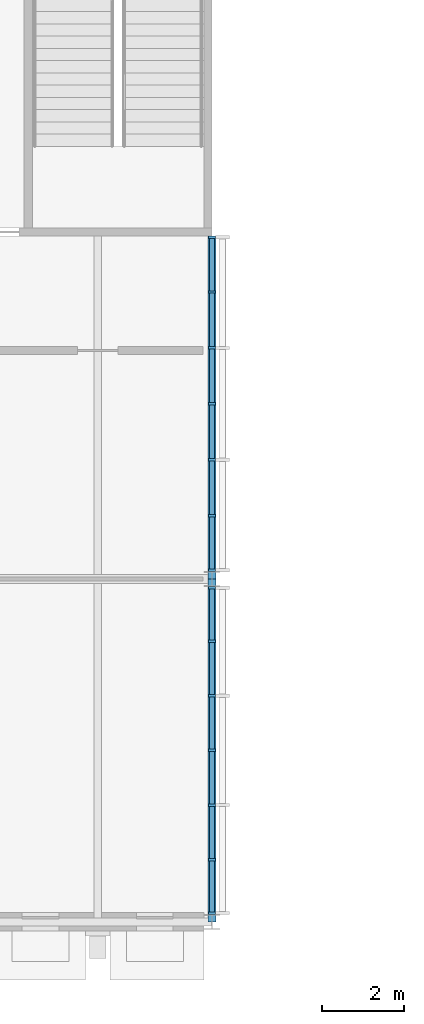
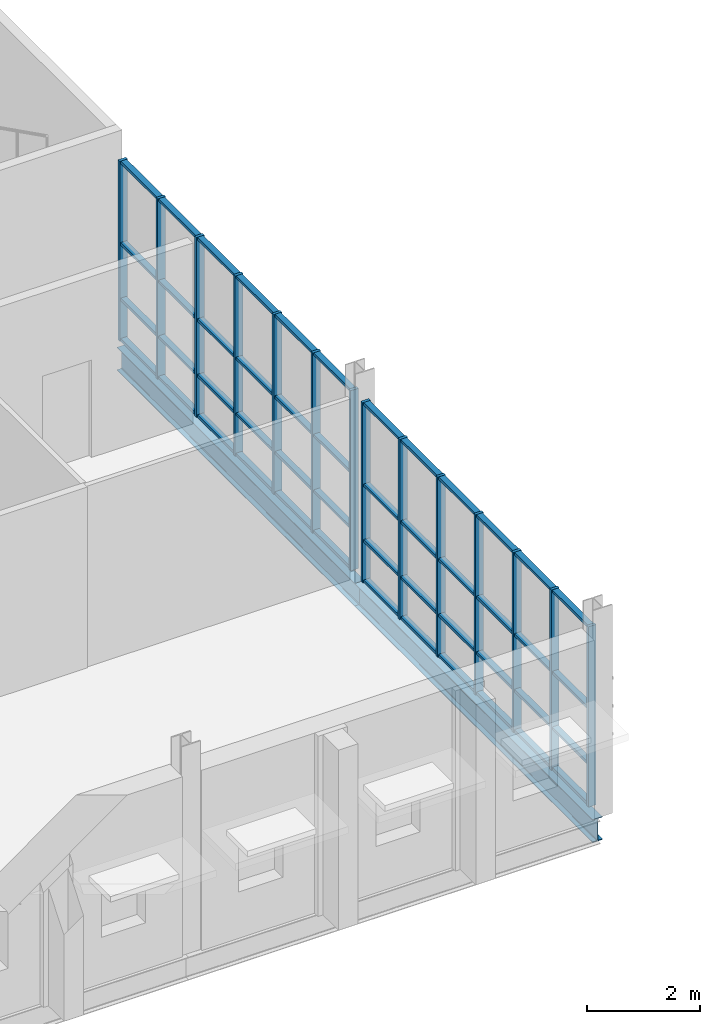
# One storey, part 6 of 22: 62 members, 2 beams, 2 elements without a shape of their own.
"""IFC4 building model written with IfcOpenShell, lengths in metres."""

from ifc_helpers import new_model, si_unit, direction, frame, origin, origin_2d, place, context, subcontext, project, spatial, rectangle, i_section, extrude, material, layer, layer_set, material_profile, profile_set, type_object, element, aggregate, save


model = new_model("IFC4")

# Units and contexts
model_context = context("Model", 3, precision=1e-05, world=origin(), true_north=direction((0.0, 1.0)))
body_context = subcontext(model_context, "Body", "Model", "MODEL_VIEW")
ifc_project = project(units=[si_unit("LENGTHUNIT", "METRE"), si_unit("AREAUNIT", "SQUARE_METRE"), si_unit("VOLUMEUNIT", "CUBIC_METRE"), si_unit("PLANEANGLEUNIT", "RADIAN"), si_unit("MASSUNIT", "GRAM", prefix="KILO")], contexts=[model_context])

# Site, building, storey
site_placement = place(None, origin())
site = spatial("IfcSite", under=ifc_project, at=site_placement, CompositionType="ELEMENT")
building_placement = place(site_placement, origin())
building = spatial("IfcBuilding", under=site, at=building_placement, Name="Ardhachandra Cancer Care Centre", CompositionType="ELEMENT")
storey_placement = place(building_placement, frame((0.0, 0.0, 18.0)))
storey = spatial("IfcBuildingStorey", under=building, at=storey_placement, Name="L04", CompositionType="ELEMENT", Elevation=18.0)

# Beams
ifc_material_1 = material(Name="Steel E350 (IS 2062)", Category="steel")
ifc_material_profile_1 = material_profile(ifc_material_1, i_section(OverallWidth=0.199951171875, OverallDepth=0.5, WebThickness=0.01025390625, FlangeThickness=0.01611328125, FilletRadius=0.02099609375, at=origin_2d()), Name="NPB 500x200x90.68")
ifc_profile_set_1 = profile_set([ifc_material_profile_1], Name="Steel E350 (IS 2062)")
beam_type = type_object("IfcBeamType", Name="Beam NPB 500x200x90.68", PredefinedType="BEAM", material=ifc_profile_set_1)
beam_1_placement = place(storey_placement, frame((44.39990234375, 71.39990234375, -0.39990234375), z_axis=(0.0, 1.0, 0.0), x_axis=(-1.0, 0.0, 0.0)))
element("IfcBeam", 1, at=beam_1_placement, inside=storey, type_object=beam_type, Name="Edge girder H5-J5", PredefinedType="BEAM", context=body_context, shape_type="SweptSolid", body=[
    extrude(i_section(OverallWidth=0.199951171875, OverallDepth=0.5, WebThickness=0.01025390625, FlangeThickness=0.01611328125, FilletRadius=0.02099609375, at=origin_2d()), origin(), (0.0, 0.0, 1.0), 8.400146484375),
])
beam_2_placement = place(storey_placement, frame((44.39990234375, 79.800048828125, -0.39990234375), z_axis=(0.0, 1.0, 0.0), x_axis=(-1.0, 0.0, 0.0)))
element("IfcBeam", 2, at=beam_2_placement, inside=storey, type_object=beam_type, Name="Edge girder J5-K5", PredefinedType="BEAM", context=body_context, shape_type="SweptSolid", body=[
    extrude(i_section(OverallWidth=0.199951171875, OverallDepth=0.5, WebThickness=0.01025390625, FlangeThickness=0.01611328125, FilletRadius=0.02099609375, at=origin_2d()), origin(), (0.0, 0.0, 1.0), 8.39990234375),
])

# Curtain wall, members
ifc_material_2 = material(Name="Aluminium extrusion", Category="aluminium")
ifc_layer = layer(ifc_material_2, 0.14990234375)
ifc_layer_set = layer_set([ifc_layer], Name="Aluminium extrusion")
curtain_wall_type = type_object("IfcCurtainWallType", Name="Curtain wall run", PredefinedType="NOTDEFINED", material=ifc_layer_set)
curtain_wall_1_placement = place(storey_placement, origin())
curtain_wall_1 = element("IfcCurtainWall", 3, at=curtain_wall_1_placement, inside=storey, type_object=curtain_wall_type, Name="Curtain wall L04 e/0044400_0071400", PredefinedType="NOTDEFINED")
ifc_material_3 = material(Name="Aluminium extrusion", Category="aluminium")
ifc_material_profile_2 = material_profile(ifc_material_3, rectangle(XDim=0.159912109375, YDim=0.06005859375, at=origin_2d()), Name="Curtain wall mullion 60 x 160")
ifc_profile_set_2 = profile_set([ifc_material_profile_2], Name="Aluminium extrusion")
member_type_1 = type_object("IfcMemberType", Name="Curtain wall mullion 60 x 160", PredefinedType="MULLION", material=ifc_profile_set_2)
member_1_placement = place(storey_placement, frame((44.39990234375, 71.614013671875, 0.0), z_axis=(0.0, 0.0, 1.0), x_axis=(-1.0, 0.0, 0.0)))
member_1 = element("IfcMember", 4, at=member_1_placement, type_object=member_type_1, Name="CW mullion 1", PredefinedType="MULLION", context=body_context, shape_type="SweptSolid", body=[
    extrude(rectangle(XDim=0.159912109375, YDim=0.06005859375, at=origin_2d()), origin(), (0.0, 0.0, 1.0), 3.885986328125),
])
member_2_placement = place(storey_placement, frame((44.39990234375, 72.922607421875, 0.0), z_axis=(0.0, 0.0, 1.0), x_axis=(-1.0, 0.0, 0.0)))
member_2 = element("IfcMember", 5, at=member_2_placement, type_object=member_type_1, Name="CW mullion 2", PredefinedType="MULLION", context=body_context, shape_type="SweptSolid", body=[
    extrude(rectangle(XDim=0.159912109375, YDim=0.06005859375, at=origin_2d()), origin(), (0.0, 0.0, 1.0), 3.885986328125),
])
member_3_placement = place(storey_placement, frame((44.39990234375, 74.26123046875, 0.0), z_axis=(0.0, 0.0, 1.0), x_axis=(-1.0, 0.0, 0.0)))
member_3 = element("IfcMember", 6, at=member_3_placement, type_object=member_type_1, Name="CW mullion 3", PredefinedType="MULLION", context=body_context, shape_type="SweptSolid", body=[
    extrude(rectangle(XDim=0.159912109375, YDim=0.06005859375, at=origin_2d()), origin(), (0.0, 0.0, 1.0), 3.885986328125),
])
member_4_placement = place(storey_placement, frame((44.39990234375, 75.60009765625, 0.0), z_axis=(0.0, 0.0, 1.0), x_axis=(-1.0, 0.0, 0.0)))
member_4 = element("IfcMember", 7, at=member_4_placement, type_object=member_type_1, Name="CW mullion 4", PredefinedType="MULLION", context=body_context, shape_type="SweptSolid", body=[
    extrude(rectangle(XDim=0.159912109375, YDim=0.06005859375, at=origin_2d()), origin(), (0.0, 0.0, 1.0), 3.885986328125),
])
member_5_placement = place(storey_placement, frame((44.39990234375, 76.938720703125, 0.0), z_axis=(0.0, 0.0, 1.0), x_axis=(-1.0, 0.0, 0.0)))
member_5 = element("IfcMember", 8, at=member_5_placement, type_object=member_type_1, Name="CW mullion 5", PredefinedType="MULLION", context=body_context, shape_type="SweptSolid", body=[
    extrude(rectangle(XDim=0.159912109375, YDim=0.06005859375, at=origin_2d()), origin(), (0.0, 0.0, 1.0), 3.885986328125),
])
member_6_placement = place(storey_placement, frame((44.39990234375, 78.27734375, 0.0), z_axis=(0.0, 0.0, 1.0), x_axis=(-1.0, 0.0, 0.0)))
member_6 = element("IfcMember", 9, at=member_6_placement, type_object=member_type_1, Name="CW mullion 6", PredefinedType="MULLION", context=body_context, shape_type="SweptSolid", body=[
    extrude(rectangle(XDim=0.159912109375, YDim=0.06005859375, at=origin_2d()), origin(), (0.0, 0.0, 1.0), 3.885986328125),
])
member_7_placement = place(storey_placement, frame((44.39990234375, 79.5859375, 0.0), z_axis=(0.0, 0.0, 1.0), x_axis=(-1.0, 0.0, 0.0)))
member_7 = element("IfcMember", 10, at=member_7_placement, type_object=member_type_1, Name="CW mullion 7", PredefinedType="MULLION", context=body_context, shape_type="SweptSolid", body=[
    extrude(rectangle(XDim=0.159912109375, YDim=0.06005859375, at=origin_2d()), origin(), (0.0, 0.0, 1.0), 3.885986328125),
])

curtain_wall_2_placement = place(storey_placement, origin())
curtain_wall_2 = element("IfcCurtainWall", 11, at=curtain_wall_2_placement, inside=storey, type_object=curtain_wall_type, Name="Curtain wall L04 e/0044400_0079800", PredefinedType="NOTDEFINED")
member_8_placement = place(storey_placement, frame((44.39990234375, 80.013916015625, 0.0), z_axis=(0.0, 0.0, 1.0), x_axis=(-1.0, 0.0, 0.0)))
member_8 = element("IfcMember", 12, at=member_8_placement, type_object=member_type_1, Name="CW mullion 1", PredefinedType="MULLION", context=body_context, shape_type="SweptSolid", body=[
    extrude(rectangle(XDim=0.159912109375, YDim=0.06005859375, at=origin_2d()), origin(), (0.0, 0.0, 1.0), 3.885986328125),
])
member_9_placement = place(storey_placement, frame((44.39990234375, 81.353271484375, 0.0), z_axis=(0.0, 0.0, 1.0), x_axis=(-1.0, 0.0, 0.0)))
member_9 = element("IfcMember", 13, at=member_9_placement, type_object=member_type_1, Name="CW mullion 2", PredefinedType="MULLION", context=body_context, shape_type="SweptSolid", body=[
    extrude(rectangle(XDim=0.159912109375, YDim=0.06005859375, at=origin_2d()), origin(), (0.0, 0.0, 1.0), 3.885986328125),
])
member_10_placement = place(storey_placement, frame((44.39990234375, 82.72265625, 0.0), z_axis=(0.0, 0.0, 1.0), x_axis=(-1.0, 0.0, 0.0)))
member_10 = element("IfcMember", 14, at=member_10_placement, type_object=member_type_1, Name="CW mullion 3", PredefinedType="MULLION", context=body_context, shape_type="SweptSolid", body=[
    extrude(rectangle(XDim=0.159912109375, YDim=0.06005859375, at=origin_2d()), origin(), (0.0, 0.0, 1.0), 3.885986328125),
])
member_11_placement = place(storey_placement, frame((44.39990234375, 84.092041015625, 0.0), z_axis=(0.0, 0.0, 1.0), x_axis=(-1.0, 0.0, 0.0)))
member_11 = element("IfcMember", 15, at=member_11_placement, type_object=member_type_1, Name="CW mullion 4", PredefinedType="MULLION", context=body_context, shape_type="SweptSolid", body=[
    extrude(rectangle(XDim=0.159912109375, YDim=0.06005859375, at=origin_2d()), origin(), (0.0, 0.0, 1.0), 3.885986328125),
])
member_12_placement = place(storey_placement, frame((44.39990234375, 85.46142578125, 0.0), z_axis=(0.0, 0.0, 1.0), x_axis=(-1.0, 0.0, 0.0)))
member_12 = element("IfcMember", 16, at=member_12_placement, type_object=member_type_1, Name="CW mullion 5", PredefinedType="MULLION", context=body_context, shape_type="SweptSolid", body=[
    extrude(rectangle(XDim=0.159912109375, YDim=0.06005859375, at=origin_2d()), origin(), (0.0, 0.0, 1.0), 3.885986328125),
])
member_13_placement = place(storey_placement, frame((44.39990234375, 86.83056640625, 0.0), z_axis=(0.0, 0.0, 1.0), x_axis=(-1.0, 0.0, 0.0)))
member_13 = element("IfcMember", 17, at=member_13_placement, type_object=member_type_1, Name="CW mullion 6", PredefinedType="MULLION", context=body_context, shape_type="SweptSolid", body=[
    extrude(rectangle(XDim=0.159912109375, YDim=0.06005859375, at=origin_2d()), origin(), (0.0, 0.0, 1.0), 3.885986328125),
])
member_14_placement = place(storey_placement, frame((44.39990234375, 88.169921875, 0.0), z_axis=(0.0, 0.0, 1.0), x_axis=(-1.0, 0.0, 0.0)))
member_14 = element("IfcMember", 18, at=member_14_placement, type_object=member_type_1, Name="CW mullion 7", PredefinedType="MULLION", context=body_context, shape_type="SweptSolid", body=[
    extrude(rectangle(XDim=0.159912109375, YDim=0.06005859375, at=origin_2d()), origin(), (0.0, 0.0, 1.0), 3.885986328125),
])

# Member
ifc_material_4 = material(Name="Aluminium extrusion", Category="aluminium")
ifc_material_profile_3 = material_profile(ifc_material_4, rectangle(XDim=0.1201171875, YDim=0.06005859375, at=origin_2d()), Name="Curtain wall transom 60 x 120")
ifc_profile_set_3 = profile_set([ifc_material_profile_3], Name="Aluminium extrusion")
member_type_2 = type_object("IfcMemberType", Name="Curtain wall transom 60 x 120", PredefinedType="USERDEFINED", material=ifc_profile_set_3)
member_15_placement = place(storey_placement, frame((44.39990234375, 71.64404296875, 0.030029296875), z_axis=(0.0, 1.0, 0.0), x_axis=(-1.0, 0.0, 0.0)))
member_15 = element("IfcMember", 19, at=member_15_placement, type_object=member_type_2, Name="CW transom 1.1", ObjectType="TRANSOM", PredefinedType="USERDEFINED", context=body_context, shape_type="SweptSolid", body=[
    extrude(rectangle(XDim=0.1201171875, YDim=0.06005859375, at=origin_2d()), origin(), (0.0, 0.0, 1.0), 1.24853515625),
])

member_16_placement = place(storey_placement, frame((44.39990234375, 71.64404296875, 0.89990234375), z_axis=(0.0, 1.0, 0.0), x_axis=(-1.0, 0.0, 0.0)))
member_16 = element("IfcMember", 20, at=member_16_placement, type_object=member_type_2, Name="CW transom 1.2", ObjectType="TRANSOM", PredefinedType="USERDEFINED", context=body_context, shape_type="SweptSolid", body=[
    extrude(rectangle(XDim=0.1201171875, YDim=0.06005859375, at=origin_2d()), origin(), (0.0, 0.0, 1.0), 1.24853515625),
])

member_17_placement = place(storey_placement, frame((44.39990234375, 71.64404296875, 2.10009765625), z_axis=(0.0, 1.0, 0.0), x_axis=(-1.0, 0.0, 0.0)))
member_17 = element("IfcMember", 21, at=member_17_placement, type_object=member_type_2, Name="CW transom 1.3", ObjectType="TRANSOM", PredefinedType="USERDEFINED", context=body_context, shape_type="SweptSolid", body=[
    extrude(rectangle(XDim=0.1201171875, YDim=0.06005859375, at=origin_2d()), origin(), (0.0, 0.0, 1.0), 1.24853515625),
])

member_18_placement = place(storey_placement, frame((44.39990234375, 71.64404296875, 3.85595703125), z_axis=(0.0, 1.0, 0.0), x_axis=(-1.0, 0.0, 0.0)))
member_18 = element("IfcMember", 22, at=member_18_placement, type_object=member_type_2, Name="CW transom 1.4", ObjectType="TRANSOM", PredefinedType="USERDEFINED", context=body_context, shape_type="SweptSolid", body=[
    extrude(rectangle(XDim=0.1201171875, YDim=0.06005859375, at=origin_2d()), origin(), (0.0, 0.0, 1.0), 1.24853515625),
])

member_19_placement = place(storey_placement, frame((44.39990234375, 72.95263671875, 0.030029296875), z_axis=(0.0, 1.0, 0.0), x_axis=(-1.0, 0.0, 0.0)))
member_19 = element("IfcMember", 23, at=member_19_placement, type_object=member_type_2, Name="CW transom 2.1", ObjectType="TRANSOM", PredefinedType="USERDEFINED", context=body_context, shape_type="SweptSolid", body=[
    extrude(rectangle(XDim=0.1201171875, YDim=0.06005859375, at=origin_2d()), origin(), (0.0, 0.0, 1.0), 1.27880859375),
])

member_20_placement = place(storey_placement, frame((44.39990234375, 72.95263671875, 0.89990234375), z_axis=(0.0, 1.0, 0.0), x_axis=(-1.0, 0.0, 0.0)))
member_20 = element("IfcMember", 24, at=member_20_placement, type_object=member_type_2, Name="CW transom 2.2", ObjectType="TRANSOM", PredefinedType="USERDEFINED", context=body_context, shape_type="SweptSolid", body=[
    extrude(rectangle(XDim=0.1201171875, YDim=0.06005859375, at=origin_2d()), origin(), (0.0, 0.0, 1.0), 1.27880859375),
])

member_21_placement = place(storey_placement, frame((44.39990234375, 72.95263671875, 2.10009765625), z_axis=(0.0, 1.0, 0.0), x_axis=(-1.0, 0.0, 0.0)))
member_21 = element("IfcMember", 25, at=member_21_placement, type_object=member_type_2, Name="CW transom 2.3", ObjectType="TRANSOM", PredefinedType="USERDEFINED", context=body_context, shape_type="SweptSolid", body=[
    extrude(rectangle(XDim=0.1201171875, YDim=0.06005859375, at=origin_2d()), origin(), (0.0, 0.0, 1.0), 1.27880859375),
])

member_22_placement = place(storey_placement, frame((44.39990234375, 72.95263671875, 3.85595703125), z_axis=(0.0, 1.0, 0.0), x_axis=(-1.0, 0.0, 0.0)))
member_22 = element("IfcMember", 26, at=member_22_placement, type_object=member_type_2, Name="CW transom 2.4", ObjectType="TRANSOM", PredefinedType="USERDEFINED", context=body_context, shape_type="SweptSolid", body=[
    extrude(rectangle(XDim=0.1201171875, YDim=0.06005859375, at=origin_2d()), origin(), (0.0, 0.0, 1.0), 1.27880859375),
])

member_23_placement = place(storey_placement, frame((44.39990234375, 74.291259765625, 0.030029296875), z_axis=(0.0, 1.0, 0.0), x_axis=(-1.0, 0.0, 0.0)))
member_23 = element("IfcMember", 27, at=member_23_placement, type_object=member_type_2, Name="CW transom 3.1", ObjectType="TRANSOM", PredefinedType="USERDEFINED", context=body_context, shape_type="SweptSolid", body=[
    extrude(rectangle(XDim=0.1201171875, YDim=0.06005859375, at=origin_2d()), origin(), (0.0, 0.0, 1.0), 1.27880859375),
])

member_24_placement = place(storey_placement, frame((44.39990234375, 74.291259765625, 0.89990234375), z_axis=(0.0, 1.0, 0.0), x_axis=(-1.0, 0.0, 0.0)))
member_24 = element("IfcMember", 28, at=member_24_placement, type_object=member_type_2, Name="CW transom 3.2", ObjectType="TRANSOM", PredefinedType="USERDEFINED", context=body_context, shape_type="SweptSolid", body=[
    extrude(rectangle(XDim=0.1201171875, YDim=0.06005859375, at=origin_2d()), origin(), (0.0, 0.0, 1.0), 1.27880859375),
])

member_25_placement = place(storey_placement, frame((44.39990234375, 74.291259765625, 2.10009765625), z_axis=(0.0, 1.0, 0.0), x_axis=(-1.0, 0.0, 0.0)))
member_25 = element("IfcMember", 29, at=member_25_placement, type_object=member_type_2, Name="CW transom 3.3", ObjectType="TRANSOM", PredefinedType="USERDEFINED", context=body_context, shape_type="SweptSolid", body=[
    extrude(rectangle(XDim=0.1201171875, YDim=0.06005859375, at=origin_2d()), origin(), (0.0, 0.0, 1.0), 1.27880859375),
])

member_26_placement = place(storey_placement, frame((44.39990234375, 74.291259765625, 3.85595703125), z_axis=(0.0, 1.0, 0.0), x_axis=(-1.0, 0.0, 0.0)))
member_26 = element("IfcMember", 30, at=member_26_placement, type_object=member_type_2, Name="CW transom 3.4", ObjectType="TRANSOM", PredefinedType="USERDEFINED", context=body_context, shape_type="SweptSolid", body=[
    extrude(rectangle(XDim=0.1201171875, YDim=0.06005859375, at=origin_2d()), origin(), (0.0, 0.0, 1.0), 1.27880859375),
])

member_27_placement = place(storey_placement, frame((44.39990234375, 75.6298828125, 0.030029296875), z_axis=(0.0, 1.0, 0.0), x_axis=(-1.0, 0.0, 0.0)))
member_27 = element("IfcMember", 31, at=member_27_placement, type_object=member_type_2, Name="CW transom 4.1", ObjectType="TRANSOM", PredefinedType="USERDEFINED", context=body_context, shape_type="SweptSolid", body=[
    extrude(rectangle(XDim=0.1201171875, YDim=0.06005859375, at=origin_2d()), origin(), (0.0, 0.0, 1.0), 1.27880859375),
])

member_28_placement = place(storey_placement, frame((44.39990234375, 75.6298828125, 0.89990234375), z_axis=(0.0, 1.0, 0.0), x_axis=(-1.0, 0.0, 0.0)))
member_28 = element("IfcMember", 32, at=member_28_placement, type_object=member_type_2, Name="CW transom 4.2", ObjectType="TRANSOM", PredefinedType="USERDEFINED", context=body_context, shape_type="SweptSolid", body=[
    extrude(rectangle(XDim=0.1201171875, YDim=0.06005859375, at=origin_2d()), origin(), (0.0, 0.0, 1.0), 1.27880859375),
])

member_29_placement = place(storey_placement, frame((44.39990234375, 75.6298828125, 2.10009765625), z_axis=(0.0, 1.0, 0.0), x_axis=(-1.0, 0.0, 0.0)))
member_29 = element("IfcMember", 33, at=member_29_placement, type_object=member_type_2, Name="CW transom 4.3", ObjectType="TRANSOM", PredefinedType="USERDEFINED", context=body_context, shape_type="SweptSolid", body=[
    extrude(rectangle(XDim=0.1201171875, YDim=0.06005859375, at=origin_2d()), origin(), (0.0, 0.0, 1.0), 1.27880859375),
])

member_30_placement = place(storey_placement, frame((44.39990234375, 75.6298828125, 3.85595703125), z_axis=(0.0, 1.0, 0.0), x_axis=(-1.0, 0.0, 0.0)))
member_30 = element("IfcMember", 34, at=member_30_placement, type_object=member_type_2, Name="CW transom 4.4", ObjectType="TRANSOM", PredefinedType="USERDEFINED", context=body_context, shape_type="SweptSolid", body=[
    extrude(rectangle(XDim=0.1201171875, YDim=0.06005859375, at=origin_2d()), origin(), (0.0, 0.0, 1.0), 1.27880859375),
])

member_31_placement = place(storey_placement, frame((44.39990234375, 76.96875, 0.030029296875), z_axis=(0.0, 1.0, 0.0), x_axis=(-1.0, 0.0, 0.0)))
member_31 = element("IfcMember", 35, at=member_31_placement, type_object=member_type_2, Name="CW transom 5.1", ObjectType="TRANSOM", PredefinedType="USERDEFINED", context=body_context, shape_type="SweptSolid", body=[
    extrude(rectangle(XDim=0.1201171875, YDim=0.06005859375, at=origin_2d()), origin(), (0.0, 0.0, 1.0), 1.278564453125),
])

member_32_placement = place(storey_placement, frame((44.39990234375, 76.96875, 0.89990234375), z_axis=(0.0, 1.0, 0.0), x_axis=(-1.0, 0.0, 0.0)))
member_32 = element("IfcMember", 36, at=member_32_placement, type_object=member_type_2, Name="CW transom 5.2", ObjectType="TRANSOM", PredefinedType="USERDEFINED", context=body_context, shape_type="SweptSolid", body=[
    extrude(rectangle(XDim=0.1201171875, YDim=0.06005859375, at=origin_2d()), origin(), (0.0, 0.0, 1.0), 1.278564453125),
])

member_33_placement = place(storey_placement, frame((44.39990234375, 76.96875, 2.10009765625), z_axis=(0.0, 1.0, 0.0), x_axis=(-1.0, 0.0, 0.0)))
member_33 = element("IfcMember", 37, at=member_33_placement, type_object=member_type_2, Name="CW transom 5.3", ObjectType="TRANSOM", PredefinedType="USERDEFINED", context=body_context, shape_type="SweptSolid", body=[
    extrude(rectangle(XDim=0.1201171875, YDim=0.06005859375, at=origin_2d()), origin(), (0.0, 0.0, 1.0), 1.278564453125),
])

member_34_placement = place(storey_placement, frame((44.39990234375, 76.96875, 3.85595703125), z_axis=(0.0, 1.0, 0.0), x_axis=(-1.0, 0.0, 0.0)))
member_34 = element("IfcMember", 38, at=member_34_placement, type_object=member_type_2, Name="CW transom 5.4", ObjectType="TRANSOM", PredefinedType="USERDEFINED", context=body_context, shape_type="SweptSolid", body=[
    extrude(rectangle(XDim=0.1201171875, YDim=0.06005859375, at=origin_2d()), origin(), (0.0, 0.0, 1.0), 1.278564453125),
])

member_35_placement = place(storey_placement, frame((44.39990234375, 78.307373046875, 0.030029296875), z_axis=(0.0, 1.0, 0.0), x_axis=(-1.0, 0.0, 0.0)))
member_35 = element("IfcMember", 39, at=member_35_placement, type_object=member_type_2, Name="CW transom 6.1", ObjectType="TRANSOM", PredefinedType="USERDEFINED", context=body_context, shape_type="SweptSolid", body=[
    extrude(rectangle(XDim=0.1201171875, YDim=0.06005859375, at=origin_2d()), origin(), (0.0, 0.0, 1.0), 1.24853515625),
])

member_36_placement = place(storey_placement, frame((44.39990234375, 78.307373046875, 0.89990234375), z_axis=(0.0, 1.0, 0.0), x_axis=(-1.0, 0.0, 0.0)))
member_36 = element("IfcMember", 40, at=member_36_placement, type_object=member_type_2, Name="CW transom 6.2", ObjectType="TRANSOM", PredefinedType="USERDEFINED", context=body_context, shape_type="SweptSolid", body=[
    extrude(rectangle(XDim=0.1201171875, YDim=0.06005859375, at=origin_2d()), origin(), (0.0, 0.0, 1.0), 1.24853515625),
])

member_37_placement = place(storey_placement, frame((44.39990234375, 78.307373046875, 2.10009765625), z_axis=(0.0, 1.0, 0.0), x_axis=(-1.0, 0.0, 0.0)))
member_37 = element("IfcMember", 41, at=member_37_placement, type_object=member_type_2, Name="CW transom 6.3", ObjectType="TRANSOM", PredefinedType="USERDEFINED", context=body_context, shape_type="SweptSolid", body=[
    extrude(rectangle(XDim=0.1201171875, YDim=0.06005859375, at=origin_2d()), origin(), (0.0, 0.0, 1.0), 1.24853515625),
])

member_38_placement = place(storey_placement, frame((44.39990234375, 78.307373046875, 3.85595703125), z_axis=(0.0, 1.0, 0.0), x_axis=(-1.0, 0.0, 0.0)))
member_38 = element("IfcMember", 42, at=member_38_placement, type_object=member_type_2, Name="CW transom 6.4", ObjectType="TRANSOM", PredefinedType="USERDEFINED", context=body_context, shape_type="SweptSolid", body=[
    extrude(rectangle(XDim=0.1201171875, YDim=0.06005859375, at=origin_2d()), origin(), (0.0, 0.0, 1.0), 1.24853515625),
])

aggregate(curtain_wall_1, [member_1, member_2, member_3, member_4, member_5, member_6, member_7, member_15, member_16, member_17, member_18, member_19, member_20, member_21, member_22, member_23, member_24, member_25, member_26, member_27, member_28, member_29, member_30, member_31, member_32, member_33, member_34, member_35, member_36, member_37, member_38])

member_39_placement = place(storey_placement, frame((44.39990234375, 80.0439453125, 0.030029296875), z_axis=(0.0, 1.0, 0.0), x_axis=(-1.0, 0.0, 0.0)))
member_39 = element("IfcMember", 43, at=member_39_placement, type_object=member_type_2, Name="CW transom 1.1", ObjectType="TRANSOM", PredefinedType="USERDEFINED", context=body_context, shape_type="SweptSolid", body=[
    extrude(rectangle(XDim=0.1201171875, YDim=0.06005859375, at=origin_2d()), origin(), (0.0, 0.0, 1.0), 1.279296875),
])

member_40_placement = place(storey_placement, frame((44.39990234375, 80.0439453125, 0.89990234375), z_axis=(0.0, 1.0, 0.0), x_axis=(-1.0, 0.0, 0.0)))
member_40 = element("IfcMember", 44, at=member_40_placement, type_object=member_type_2, Name="CW transom 1.2", ObjectType="TRANSOM", PredefinedType="USERDEFINED", context=body_context, shape_type="SweptSolid", body=[
    extrude(rectangle(XDim=0.1201171875, YDim=0.06005859375, at=origin_2d()), origin(), (0.0, 0.0, 1.0), 1.279296875),
])

member_41_placement = place(storey_placement, frame((44.39990234375, 80.0439453125, 2.10009765625), z_axis=(0.0, 1.0, 0.0), x_axis=(-1.0, 0.0, 0.0)))
member_41 = element("IfcMember", 45, at=member_41_placement, type_object=member_type_2, Name="CW transom 1.3", ObjectType="TRANSOM", PredefinedType="USERDEFINED", context=body_context, shape_type="SweptSolid", body=[
    extrude(rectangle(XDim=0.1201171875, YDim=0.06005859375, at=origin_2d()), origin(), (0.0, 0.0, 1.0), 1.279296875),
])

member_42_placement = place(storey_placement, frame((44.39990234375, 80.0439453125, 3.85595703125), z_axis=(0.0, 1.0, 0.0), x_axis=(-1.0, 0.0, 0.0)))
member_42 = element("IfcMember", 46, at=member_42_placement, type_object=member_type_2, Name="CW transom 1.4", ObjectType="TRANSOM", PredefinedType="USERDEFINED", context=body_context, shape_type="SweptSolid", body=[
    extrude(rectangle(XDim=0.1201171875, YDim=0.06005859375, at=origin_2d()), origin(), (0.0, 0.0, 1.0), 1.279296875),
])

member_43_placement = place(storey_placement, frame((44.39990234375, 81.38330078125, 0.030029296875), z_axis=(0.0, 1.0, 0.0), x_axis=(-1.0, 0.0, 0.0)))
member_43 = element("IfcMember", 47, at=member_43_placement, type_object=member_type_2, Name="CW transom 2.1", ObjectType="TRANSOM", PredefinedType="USERDEFINED", context=body_context, shape_type="SweptSolid", body=[
    extrude(rectangle(XDim=0.1201171875, YDim=0.06005859375, at=origin_2d()), origin(), (0.0, 0.0, 1.0), 1.309326171875),
])

member_44_placement = place(storey_placement, frame((44.39990234375, 81.38330078125, 0.89990234375), z_axis=(0.0, 1.0, 0.0), x_axis=(-1.0, 0.0, 0.0)))
member_44 = element("IfcMember", 48, at=member_44_placement, type_object=member_type_2, Name="CW transom 2.2", ObjectType="TRANSOM", PredefinedType="USERDEFINED", context=body_context, shape_type="SweptSolid", body=[
    extrude(rectangle(XDim=0.1201171875, YDim=0.06005859375, at=origin_2d()), origin(), (0.0, 0.0, 1.0), 1.309326171875),
])

member_45_placement = place(storey_placement, frame((44.39990234375, 81.38330078125, 2.10009765625), z_axis=(0.0, 1.0, 0.0), x_axis=(-1.0, 0.0, 0.0)))
member_45 = element("IfcMember", 49, at=member_45_placement, type_object=member_type_2, Name="CW transom 2.3", ObjectType="TRANSOM", PredefinedType="USERDEFINED", context=body_context, shape_type="SweptSolid", body=[
    extrude(rectangle(XDim=0.1201171875, YDim=0.06005859375, at=origin_2d()), origin(), (0.0, 0.0, 1.0), 1.309326171875),
])

member_46_placement = place(storey_placement, frame((44.39990234375, 81.38330078125, 3.85595703125), z_axis=(0.0, 1.0, 0.0), x_axis=(-1.0, 0.0, 0.0)))
member_46 = element("IfcMember", 50, at=member_46_placement, type_object=member_type_2, Name="CW transom 2.4", ObjectType="TRANSOM", PredefinedType="USERDEFINED", context=body_context, shape_type="SweptSolid", body=[
    extrude(rectangle(XDim=0.1201171875, YDim=0.06005859375, at=origin_2d()), origin(), (0.0, 0.0, 1.0), 1.309326171875),
])

member_47_placement = place(storey_placement, frame((44.39990234375, 82.752685546875, 0.030029296875), z_axis=(0.0, 1.0, 0.0), x_axis=(-1.0, 0.0, 0.0)))
member_47 = element("IfcMember", 51, at=member_47_placement, type_object=member_type_2, Name="CW transom 3.1", ObjectType="TRANSOM", PredefinedType="USERDEFINED", context=body_context, shape_type="SweptSolid", body=[
    extrude(rectangle(XDim=0.1201171875, YDim=0.06005859375, at=origin_2d()), origin(), (0.0, 0.0, 1.0), 1.309326171875),
])

member_48_placement = place(storey_placement, frame((44.39990234375, 82.752685546875, 0.89990234375), z_axis=(0.0, 1.0, 0.0), x_axis=(-1.0, 0.0, 0.0)))
member_48 = element("IfcMember", 52, at=member_48_placement, type_object=member_type_2, Name="CW transom 3.2", ObjectType="TRANSOM", PredefinedType="USERDEFINED", context=body_context, shape_type="SweptSolid", body=[
    extrude(rectangle(XDim=0.1201171875, YDim=0.06005859375, at=origin_2d()), origin(), (0.0, 0.0, 1.0), 1.309326171875),
])

member_49_placement = place(storey_placement, frame((44.39990234375, 82.752685546875, 2.10009765625), z_axis=(0.0, 1.0, 0.0), x_axis=(-1.0, 0.0, 0.0)))
member_49 = element("IfcMember", 53, at=member_49_placement, type_object=member_type_2, Name="CW transom 3.3", ObjectType="TRANSOM", PredefinedType="USERDEFINED", context=body_context, shape_type="SweptSolid", body=[
    extrude(rectangle(XDim=0.1201171875, YDim=0.06005859375, at=origin_2d()), origin(), (0.0, 0.0, 1.0), 1.309326171875),
])

member_50_placement = place(storey_placement, frame((44.39990234375, 82.752685546875, 3.85595703125), z_axis=(0.0, 1.0, 0.0), x_axis=(-1.0, 0.0, 0.0)))
member_50 = element("IfcMember", 54, at=member_50_placement, type_object=member_type_2, Name="CW transom 3.4", ObjectType="TRANSOM", PredefinedType="USERDEFINED", context=body_context, shape_type="SweptSolid", body=[
    extrude(rectangle(XDim=0.1201171875, YDim=0.06005859375, at=origin_2d()), origin(), (0.0, 0.0, 1.0), 1.309326171875),
])

member_51_placement = place(storey_placement, frame((44.39990234375, 84.1220703125, 0.030029296875), z_axis=(0.0, 1.0, 0.0), x_axis=(-1.0, 0.0, 0.0)))
member_51 = element("IfcMember", 55, at=member_51_placement, type_object=member_type_2, Name="CW transom 4.1", ObjectType="TRANSOM", PredefinedType="USERDEFINED", context=body_context, shape_type="SweptSolid", body=[
    extrude(rectangle(XDim=0.1201171875, YDim=0.06005859375, at=origin_2d()), origin(), (0.0, 0.0, 1.0), 1.309326171875),
])

member_52_placement = place(storey_placement, frame((44.39990234375, 84.1220703125, 0.89990234375), z_axis=(0.0, 1.0, 0.0), x_axis=(-1.0, 0.0, 0.0)))
member_52 = element("IfcMember", 56, at=member_52_placement, type_object=member_type_2, Name="CW transom 4.2", ObjectType="TRANSOM", PredefinedType="USERDEFINED", context=body_context, shape_type="SweptSolid", body=[
    extrude(rectangle(XDim=0.1201171875, YDim=0.06005859375, at=origin_2d()), origin(), (0.0, 0.0, 1.0), 1.309326171875),
])

member_53_placement = place(storey_placement, frame((44.39990234375, 84.1220703125, 2.10009765625), z_axis=(0.0, 1.0, 0.0), x_axis=(-1.0, 0.0, 0.0)))
member_53 = element("IfcMember", 57, at=member_53_placement, type_object=member_type_2, Name="CW transom 4.3", ObjectType="TRANSOM", PredefinedType="USERDEFINED", context=body_context, shape_type="SweptSolid", body=[
    extrude(rectangle(XDim=0.1201171875, YDim=0.06005859375, at=origin_2d()), origin(), (0.0, 0.0, 1.0), 1.309326171875),
])

member_54_placement = place(storey_placement, frame((44.39990234375, 84.1220703125, 3.85595703125), z_axis=(0.0, 1.0, 0.0), x_axis=(-1.0, 0.0, 0.0)))
member_54 = element("IfcMember", 58, at=member_54_placement, type_object=member_type_2, Name="CW transom 4.4", ObjectType="TRANSOM", PredefinedType="USERDEFINED", context=body_context, shape_type="SweptSolid", body=[
    extrude(rectangle(XDim=0.1201171875, YDim=0.06005859375, at=origin_2d()), origin(), (0.0, 0.0, 1.0), 1.309326171875),
])

member_55_placement = place(storey_placement, frame((44.39990234375, 85.491455078125, 0.030029296875), z_axis=(0.0, 1.0, 0.0), x_axis=(-1.0, 0.0, 0.0)))
member_55 = element("IfcMember", 59, at=member_55_placement, type_object=member_type_2, Name="CW transom 5.1", ObjectType="TRANSOM", PredefinedType="USERDEFINED", context=body_context, shape_type="SweptSolid", body=[
    extrude(rectangle(XDim=0.1201171875, YDim=0.06005859375, at=origin_2d()), origin(), (0.0, 0.0, 1.0), 1.309326171875),
])

member_56_placement = place(storey_placement, frame((44.39990234375, 85.491455078125, 0.89990234375), z_axis=(0.0, 1.0, 0.0), x_axis=(-1.0, 0.0, 0.0)))
member_56 = element("IfcMember", 60, at=member_56_placement, type_object=member_type_2, Name="CW transom 5.2", ObjectType="TRANSOM", PredefinedType="USERDEFINED", context=body_context, shape_type="SweptSolid", body=[
    extrude(rectangle(XDim=0.1201171875, YDim=0.06005859375, at=origin_2d()), origin(), (0.0, 0.0, 1.0), 1.309326171875),
])

member_57_placement = place(storey_placement, frame((44.39990234375, 85.491455078125, 2.10009765625), z_axis=(0.0, 1.0, 0.0), x_axis=(-1.0, 0.0, 0.0)))
member_57 = element("IfcMember", 61, at=member_57_placement, type_object=member_type_2, Name="CW transom 5.3", ObjectType="TRANSOM", PredefinedType="USERDEFINED", context=body_context, shape_type="SweptSolid", body=[
    extrude(rectangle(XDim=0.1201171875, YDim=0.06005859375, at=origin_2d()), origin(), (0.0, 0.0, 1.0), 1.309326171875),
])

member_58_placement = place(storey_placement, frame((44.39990234375, 85.491455078125, 3.85595703125), z_axis=(0.0, 1.0, 0.0), x_axis=(-1.0, 0.0, 0.0)))
member_58 = element("IfcMember", 62, at=member_58_placement, type_object=member_type_2, Name="CW transom 5.4", ObjectType="TRANSOM", PredefinedType="USERDEFINED", context=body_context, shape_type="SweptSolid", body=[
    extrude(rectangle(XDim=0.1201171875, YDim=0.06005859375, at=origin_2d()), origin(), (0.0, 0.0, 1.0), 1.309326171875),
])

member_59_placement = place(storey_placement, frame((44.39990234375, 86.860595703125, 0.030029296875), z_axis=(0.0, 1.0, 0.0), x_axis=(-1.0, 0.0, 0.0)))
member_59 = element("IfcMember", 63, at=member_59_placement, type_object=member_type_2, Name="CW transom 6.1", ObjectType="TRANSOM", PredefinedType="USERDEFINED", context=body_context, shape_type="SweptSolid", body=[
    extrude(rectangle(XDim=0.1201171875, YDim=0.06005859375, at=origin_2d()), origin(), (0.0, 0.0, 1.0), 1.279296875),
])

member_60_placement = place(storey_placement, frame((44.39990234375, 86.860595703125, 0.89990234375), z_axis=(0.0, 1.0, 0.0), x_axis=(-1.0, 0.0, 0.0)))
member_60 = element("IfcMember", 64, at=member_60_placement, type_object=member_type_2, Name="CW transom 6.2", ObjectType="TRANSOM", PredefinedType="USERDEFINED", context=body_context, shape_type="SweptSolid", body=[
    extrude(rectangle(XDim=0.1201171875, YDim=0.06005859375, at=origin_2d()), origin(), (0.0, 0.0, 1.0), 1.279296875),
])

member_61_placement = place(storey_placement, frame((44.39990234375, 86.860595703125, 2.10009765625), z_axis=(0.0, 1.0, 0.0), x_axis=(-1.0, 0.0, 0.0)))
member_61 = element("IfcMember", 65, at=member_61_placement, type_object=member_type_2, Name="CW transom 6.3", ObjectType="TRANSOM", PredefinedType="USERDEFINED", context=body_context, shape_type="SweptSolid", body=[
    extrude(rectangle(XDim=0.1201171875, YDim=0.06005859375, at=origin_2d()), origin(), (0.0, 0.0, 1.0), 1.279296875),
])

member_62_placement = place(storey_placement, frame((44.39990234375, 86.860595703125, 3.85595703125), z_axis=(0.0, 1.0, 0.0), x_axis=(-1.0, 0.0, 0.0)))
member_62 = element("IfcMember", 66, at=member_62_placement, type_object=member_type_2, Name="CW transom 6.4", ObjectType="TRANSOM", PredefinedType="USERDEFINED", context=body_context, shape_type="SweptSolid", body=[
    extrude(rectangle(XDim=0.1201171875, YDim=0.06005859375, at=origin_2d()), origin(), (0.0, 0.0, 1.0), 1.279296875),
])

aggregate(curtain_wall_2, [member_8, member_9, member_10, member_11, member_12, member_13, member_14, member_39, member_40, member_41, member_42, member_43, member_44, member_45, member_46, member_47, member_48, member_49, member_50, member_51, member_52, member_53, member_54, member_55, member_56, member_57, member_58, member_59, member_60, member_61, member_62])

save(model, "model.ifc")
